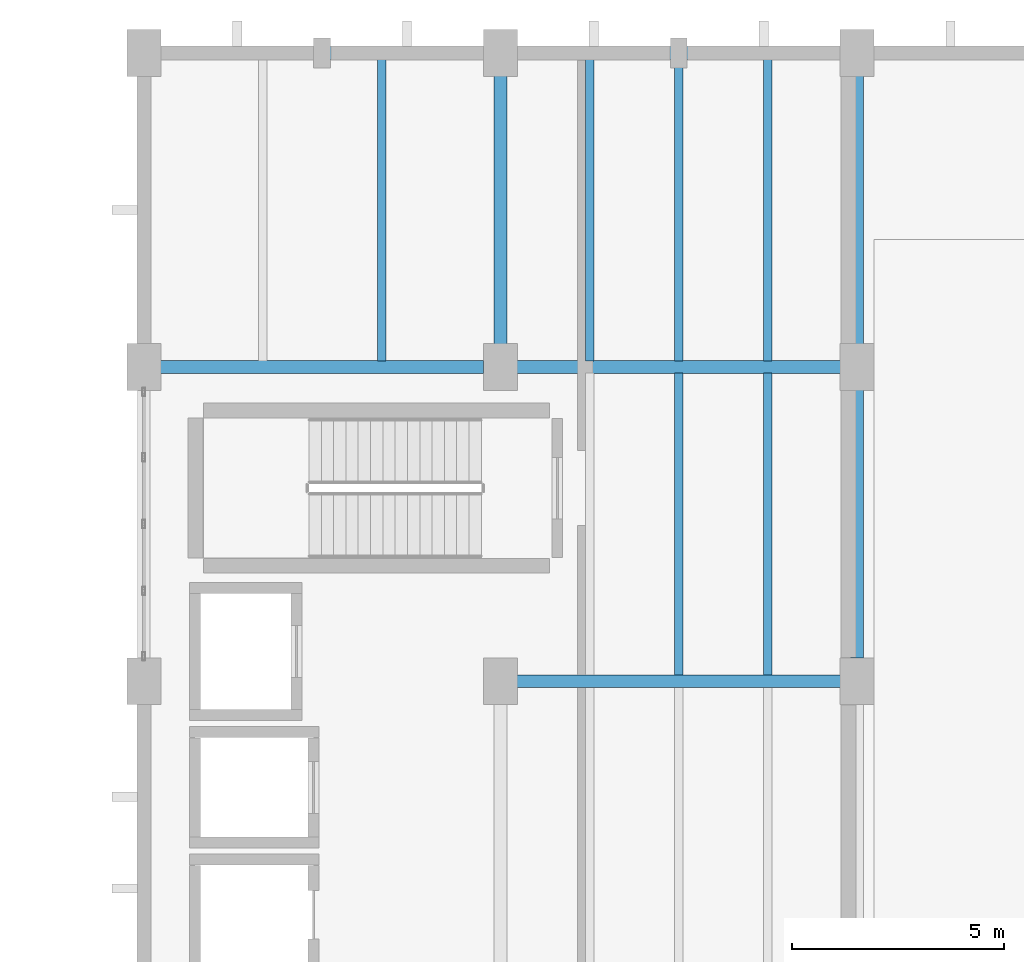
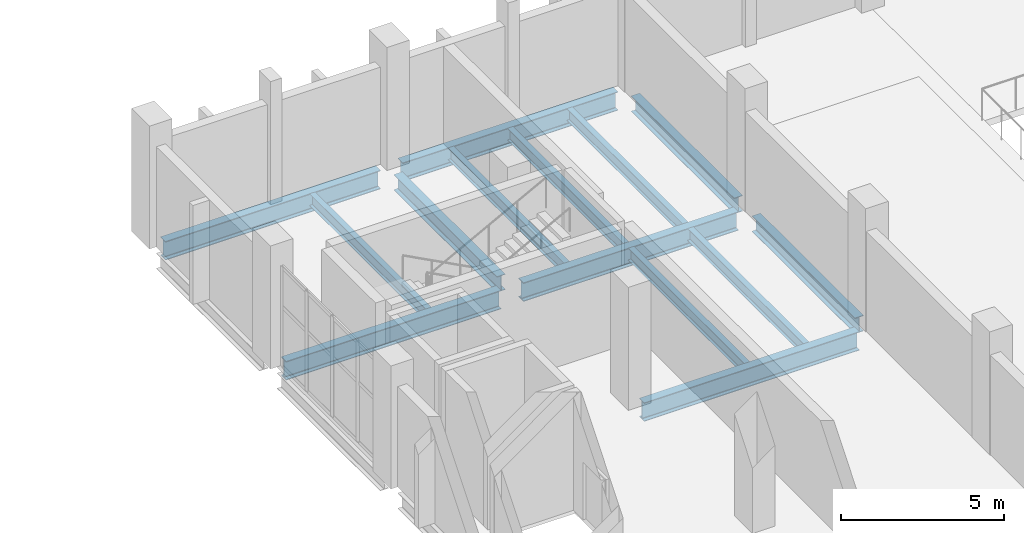
# One storey, part 77 of 172: 14 beams.
"""IFC4 building model written with IfcOpenShell, lengths in metres."""

import ifcopenshell
import ifcopenshell.guid

model = None  # the IFC model being written
_history = None  # IfcOwnerHistory: only IFC2X3 demands one
_inside = {}  # id of a spatial element -> (the spatial element, [elements in it])
_under = {}  # id of a project, library or spatial element -> (it, [spatial elements below it])
_declared = {}  # id of a project -> (the project, [libraries it declares])
_typed = {}  # id of a type object -> (the type object, [elements of that type])
_made_of = {}  # id of a material, layer set ... -> (it, [elements and type objects made of it])


def new_model(schema):
    """Start an empty IFC model of exactly this schema.

    Asked for "IFC4X3", IfcOpenShell would pick the latest addendum, in which some entities
    have other attributes; the version numbers below select the first issue.
    IFC2X3 requires an IfcOwnerHistory on every rooted entity: one is made here for all.
    """
    global model, _history
    if schema == "IFC4X3":
        model = ifcopenshell.file(schema_version=(4, 3, 0, 0))
    else:
        model = ifcopenshell.file(schema=schema)
    _inside.clear()
    _under.clear()
    _declared.clear()
    _typed.clear()
    _made_of.clear()
    _history = None
    if model.schema == "IFC2X3":
        org = make("IfcOrganization", Name="unknown")
        user = make(
            "IfcPersonAndOrganization",
            ThePerson=make("IfcPerson", FamilyName="unknown"),
            TheOrganization=org,
        )
        app = make(
            "IfcApplication",
            ApplicationDeveloper=org,
            Version="unknown",
            ApplicationFullName="unknown",
            ApplicationIdentifier="unknown",
        )
        _history = make(
            "IfcOwnerHistory",
            OwningUser=user,
            OwningApplication=app,
            ChangeAction="ADDED",
            CreationDate=0,
        )
    return model


def make(cls, **values):
    """One entity of the class cls with the attributes given. An attribute that is None is left unset."""
    return model.create_entity(
        cls, **{name: value for name, value in values.items() if value is not None}
    )


def rooted(cls, **values):
    """An entity with a GlobalId (a new one), such as an element, a storey or a relation."""
    return make(cls, GlobalId=ifcopenshell.guid.new(), OwnerHistory=_history, **values)


def si_unit(unit_type, name, prefix=None):
    """IfcSIUnit, for example si_unit("LENGTHUNIT", "METRE", prefix="MILLI")."""
    return make("IfcSIUnit", UnitType=unit_type, Prefix=prefix, Name=name)


def assignment(units):
    """IfcUnitAssignment: the units of a project."""
    return None if units is None else make("IfcUnitAssignment", Units=units)


def point(xyz):
    """IfcCartesianPoint."""
    return None if xyz is None else make("IfcCartesianPoint", Coordinates=xyz)


def direction(xyz):
    """IfcDirection."""
    return None if xyz is None else make("IfcDirection", DirectionRatios=xyz)


def frame(location, z_axis=None, x_axis=None):
    """IfcAxis2Placement3D, a coordinate frame: its origin and axes. An axis left out is left unset."""
    return make(
        "IfcAxis2Placement3D",
        Location=point(location),
        Axis=direction(z_axis),
        RefDirection=direction(x_axis),
    )


def frame_2d(location, x_axis=None):
    """IfcAxis2Placement2D, a coordinate frame in the plane: its origin and x axis."""
    return make(
        "IfcAxis2Placement2D", Location=point(location), RefDirection=direction(x_axis)
    )


def origin():
    """The frame at (0, 0, 0) with its axes left unset."""
    return frame((0.0, 0.0, 0.0))


def origin_2d():
    """The frame at (0, 0) in the plane with its x axis left unset."""
    return frame_2d((0.0, 0.0))


def place(relative_to, where):
    """IfcLocalPlacement: puts the frame where relative to a parent placement (None: the world)."""
    return make(
        "IfcLocalPlacement", PlacementRelTo=relative_to, RelativePlacement=where
    )


def context(
    kind, dimensions, precision=None, world=None, true_north=None, identifier=None
):
    """IfcGeometricRepresentationContext, for example the 3D "Model" context."""
    return make(
        "IfcGeometricRepresentationContext",
        ContextIdentifier=identifier,
        ContextType=kind,
        CoordinateSpaceDimension=dimensions,
        Precision=precision,
        WorldCoordinateSystem=world,
        TrueNorth=true_north,
    )


def subcontext(parent, identifier, kind, view, scale=None):
    """IfcGeometricRepresentationSubContext, for example "Body" below "Model"."""
    return make(
        "IfcGeometricRepresentationSubContext",
        ContextIdentifier=identifier,
        ContextType=kind,
        ParentContext=parent,
        TargetScale=scale,
        TargetView=view,
    )


def project(units=None, contexts=None):
    """IfcProject with its units and contexts."""
    return rooted(
        "IfcProject",
        Name="project",
        RepresentationContexts=contexts,
        UnitsInContext=assignment(units),
    )


def spatial(cls, under=None, at=None, **own):
    """A site, building, storey or space (cls), placed at a placement, below another one or the project."""
    s = rooted(cls, ObjectPlacement=at, **own)
    if under is not None:
        _under.setdefault(under.id(), (under, []))[1].append(s)
    return s


def profile(cls, at=None, kind="AREA", **sizes):
    """A parametric profile (cls). Its sizes go by their IFC names, for example OverallWidth=200.0."""
    return make(cls, ProfileType=kind, Position=at, **sizes)


def i_section(**sizes):
    """IfcIShapeProfileDef."""
    return profile("IfcIShapeProfileDef", **sizes)


def extrude(swept, where, along, depth):
    """IfcExtrudedAreaSolid: the profile swept, set in the frame where, extruded along a direction by depth."""
    return make(
        "IfcExtrudedAreaSolid",
        SweptArea=swept,
        Position=where,
        ExtrudedDirection=direction(along),
        Depth=depth,
    )


def shape(context_of_items, identifier, shape_type, items):
    """IfcShapeRepresentation: the items that make up one representation, for example the "Body"."""
    return make(
        "IfcShapeRepresentation",
        ContextOfItems=context_of_items,
        RepresentationIdentifier=identifier,
        RepresentationType=shape_type,
        Items=items,
    )


def material(Name=None, Category=None):
    """IfcMaterial."""
    return make("IfcMaterial", Name=Name, Category=Category)


def material_profile(
    of_material, cross_section, Name=None, Category=None, Priority=None
):
    """IfcMaterialProfile: a cross section and its material."""
    return make(
        "IfcMaterialProfile",
        Name=Name,
        Material=of_material,
        Profile=cross_section,
        Priority=Priority,
        Category=Category,
    )


def profile_set(profiles, Name=None, composite=None):
    """IfcMaterialProfileSet."""
    return make(
        "IfcMaterialProfileSet",
        Name=Name,
        MaterialProfiles=profiles,
        CompositeProfile=composite,
    )


def made_of(thing, what):
    """Note that an element or type object is made of a material, layer set ...; save() writes the relation."""
    if what is not None:
        _made_of.setdefault(what.id(), (what, []))[1].append(thing)
    return thing


def type_object(cls, material=None, **own):
    """A type object (cls), such as IfcWallType, which elements share."""
    return made_of(rooted(cls, **own), material)


def element(
    cls,
    number,
    at=None,
    inside=None,
    cuts=None,
    type_object=None,
    material=None,
    context=None,
    identifier="Body",
    shape_type=None,
    held_by="IfcProductDefinitionShape",
    body=None,
    shapes=None,
    **own,
):
    """One element of the class cls, such as IfcWall. Its Tag is "e" and its number.

    at: its placement. inside: the storey or other place that contains it. cuts: it is an
    opening in that element (IfcRelVoidsElement). A single representation is given by context,
    identifier, shape_type and body (its items); several are given by shapes. held_by: the class
    of the entity that holds the representations. save() writes the other relations.
    """
    e = rooted(cls, Tag="e%d" % number, ObjectPlacement=at, **own)
    if body is not None:
        shapes = [shape(context, identifier, shape_type, body)]
    if shapes is not None:
        e.Representation = make(held_by, Representations=shapes)
    if inside is not None:
        _inside.setdefault(inside.id(), (inside, []))[1].append(e)
    if cuts is not None:
        rooted(
            "IfcRelVoidsElement", RelatingBuildingElement=cuts, RelatedOpeningElement=e
        )
    if type_object is not None:
        _typed.setdefault(type_object.id(), (type_object, []))[1].append(e)
    return made_of(e, material)


def aggregate(whole, parts):
    """IfcRelAggregates: a whole, such as a stair, and the parts it consists of."""
    return rooted("IfcRelAggregates", RelatingObject=whole, RelatedObjects=parts)


def save(model, path):
    """Write the relations noted so far, then the file.

    IfcRelAggregates (storeys below a building ...), IfcRelContainedInSpatialStructure (elements
    in a storey), IfcRelDefinesByType, IfcRelAssociatesMaterial and IfcRelDeclares: one each for
    every whole, place, type object, material and project.
    """
    for whole, parts in _under.values():
        aggregate(whole, parts)
    for where, things in _inside.values():
        rooted(
            "IfcRelContainedInSpatialStructure",
            RelatedElements=things,
            RelatingStructure=where,
        )
    for kind, things in _typed.values():
        rooted("IfcRelDefinesByType", RelatedObjects=things, RelatingType=kind)
    for what, things in _made_of.values():
        rooted("IfcRelAssociatesMaterial", RelatedObjects=things, RelatingMaterial=what)
    for by, libraries in _declared.values():
        rooted("IfcRelDeclares", RelatingContext=by, RelatedDefinitions=libraries)
    model.write(path)


model = new_model("IFC4")

# Units and contexts
model_context = context("Model", 3, precision=1e-05, world=origin(), true_north=direction((0.0, 1.0)))
body_context = subcontext(model_context, "Body", "Model", "MODEL_VIEW")
ifc_project = project(units=[si_unit("LENGTHUNIT", "METRE"), si_unit("AREAUNIT", "SQUARE_METRE"), si_unit("VOLUMEUNIT", "CUBIC_METRE"), si_unit("PLANEANGLEUNIT", "RADIAN"), si_unit("MASSUNIT", "GRAM", prefix="KILO")], contexts=[model_context])

# Site, building, storey
site_placement = place(None, origin())
site = spatial("IfcSite", under=ifc_project, at=site_placement, CompositionType="ELEMENT")
building_placement = place(site_placement, origin())
building = spatial("IfcBuilding", under=site, at=building_placement, Name="Shengluoqiao Park Theatre", CompositionType="ELEMENT")
storey_placement = place(building_placement, frame((0.0, 0.0, 5.39990234375)))
storey = spatial("IfcBuildingStorey", under=building, at=storey_placement, Name="L01", CompositionType="ELEMENT", Elevation=5.39990234375)

# Beams
ifc_material_1 = material(Name="Steel Q355", Category="steel")
ifc_material_profile_1 = material_profile(ifc_material_1, i_section(OverallWidth=0.300048828125, OverallDepth=0.587890625, WebThickness=0.011962890625, FlangeThickness=0.02001953125, FilletRadius=0.02392578125, at=origin_2d()), Name="HM 588x300x12x20")
ifc_profile_set_1 = profile_set([ifc_material_profile_1], Name="Steel Q355")
beam_type_1 = type_object("IfcBeamType", Name="STR-BM-G-HM588", PredefinedType="BEAM", material=ifc_profile_set_1)
for number, where, z_axis, x_axis, name in (
    (1, (52.800048828125, 107.14404296875, -0.533935546875), (0.0, 1.0, 0.0), (-1.0, 0.0, 0.0), "L01 Transverse Girder 00289"),
    (2, (61.199951171875, 99.743896484375, -0.533935546875), (0.0, 1.0, 0.0), (-1.0, 0.0, 0.0), "L01 Transverse Girder 00293"),
    (3, (61.199951171875, 107.14404296875, -0.533935546875), (0.0, 1.0, 0.0), (-1.0, 0.0, 0.0), "L01 Transverse Girder 00294"),
):
    element("IfcBeam", number, at=place(storey_placement, frame(where, z_axis=z_axis, x_axis=x_axis)), inside=storey, type_object=beam_type_1, Name=name, PredefinedType="BEAM", context=body_context, shape_type="SweptSolid", body=[
        extrude(i_section(OverallWidth=0.300048828125, OverallDepth=0.587890625, WebThickness=0.011962890625, FlangeThickness=0.02001953125, FilletRadius=0.02392578125, at=origin_2d()), origin(), (0.0, 0.0, 1.0), 6.31201171875),
    ])
ifc_material_2 = material(Name="Steel Q390", Category="steel")
ifc_material_profile_2 = material_profile(ifc_material_2, i_section(OverallWidth=0.300048828125, OverallDepth=0.699951171875, WebThickness=0.012939453125, FlangeThickness=0.02392578125, FilletRadius=0.02392578125, at=origin_2d()), Name="HN 700x300x13x24")
ifc_profile_set_2 = profile_set([ifc_material_profile_2], Name="Steel Q390")
beam_type_2 = type_object("IfcBeamType", Name="STR-BM-G-HN700", PredefinedType="BEAM", material=ifc_profile_set_2)
beam_1_placement = place(storey_placement, frame((53.194091796875, 99.199951171875, -0.58984375), z_axis=(1.0, 0.0, 0.0), x_axis=(0.0, 1.0, 0.0)))
element("IfcBeam", 4, at=beam_1_placement, inside=storey, type_object=beam_type_2, Name="L01 Primary Girder 00277", PredefinedType="BEAM", context=body_context, shape_type="SweptSolid", body=[
    extrude(i_section(OverallWidth=0.300048828125, OverallDepth=0.699951171875, WebThickness=0.012939453125, FlangeThickness=0.02392578125, FilletRadius=0.02392578125, at=origin_2d()), origin(), (0.0, 0.0, 1.0), 7.61181640625),
])
beam_2_placement = place(storey_placement, frame((44.7939453125, 106.60009765625, -0.58984375), z_axis=(1.0, 0.0, 0.0), x_axis=(0.0, 1.0, 0.0)))
element("IfcBeam", 5, at=beam_2_placement, inside=storey, type_object=beam_type_2, Name="L01 Primary Girder 00278", PredefinedType="BEAM", context=body_context, shape_type="SweptSolid", body=[
    extrude(i_section(OverallWidth=0.300048828125, OverallDepth=0.699951171875, WebThickness=0.012939453125, FlangeThickness=0.02392578125, FilletRadius=0.02392578125, at=origin_2d()), origin(), (0.0, 0.0, 1.0), 7.612060546875),
])
beam_3_placement = place(storey_placement, frame((53.194091796875, 106.60009765625, -0.58984375), z_axis=(1.0, 0.0, 0.0), x_axis=(0.0, 1.0, 0.0)))
element("IfcBeam", 6, at=beam_3_placement, inside=storey, type_object=beam_type_2, Name="L01 Primary Girder 00279", PredefinedType="BEAM", context=body_context, shape_type="SweptSolid", body=[
    extrude(i_section(OverallWidth=0.300048828125, OverallDepth=0.699951171875, WebThickness=0.012939453125, FlangeThickness=0.02392578125, FilletRadius=0.02392578125, at=origin_2d()), origin(), (0.0, 0.0, 1.0), 7.61181640625),
])
beam_4_placement = place(storey_placement, frame((44.7939453125, 114.0, -0.58984375), z_axis=(1.0, 0.0, 0.0), x_axis=(0.0, 1.0, 0.0)))
element("IfcBeam", 7, at=beam_4_placement, inside=storey, type_object=beam_type_2, Name="L01 Primary Girder 00280", PredefinedType="BEAM", context=body_context, shape_type="SweptSolid", body=[
    extrude(i_section(OverallWidth=0.300048828125, OverallDepth=0.699951171875, WebThickness=0.012939453125, FlangeThickness=0.02392578125, FilletRadius=0.02392578125, at=origin_2d()), origin(), (0.0, 0.0, 1.0), 7.612060546875),
])
beam_5_placement = place(storey_placement, frame((53.194091796875, 114.0, -0.58984375), z_axis=(1.0, 0.0, 0.0), x_axis=(0.0, 1.0, 0.0)))
element("IfcBeam", 8, at=beam_5_placement, inside=storey, type_object=beam_type_2, Name="L01 Primary Girder 00281", PredefinedType="BEAM", context=body_context, shape_type="SweptSolid", body=[
    extrude(i_section(OverallWidth=0.300048828125, OverallDepth=0.699951171875, WebThickness=0.012939453125, FlangeThickness=0.02392578125, FilletRadius=0.02392578125, at=origin_2d()), origin(), (0.0, 0.0, 1.0), 7.61181640625),
])
ifc_material_profile_3 = material_profile(ifc_material_1, i_section(OverallWidth=0.199951171875, OverallDepth=0.449951171875, WebThickness=0.009033203125, FlangeThickness=0.013916015625, FilletRadius=0.01611328125, at=origin_2d()), Name="HN 450x200x9x14")
ifc_profile_set_3 = profile_set([ifc_material_profile_3], Name="Steel Q355")
beam_type_3 = type_object("IfcBeamType", Name="STR-BM-J-HN450", PredefinedType="JOIST", material=ifc_profile_set_3)
beam_6_placement = place(storey_placement, frame((50.0, 106.7451171875, -0.46484375), z_axis=(0.0, 1.0, 0.0), x_axis=(-1.0, 0.0, 0.0)))
element("IfcBeam", 9, at=beam_6_placement, inside=storey, type_object=beam_type_3, Name="L01 Composite Joist 00298", PredefinedType="JOIST", context=body_context, shape_type="SweptSolid", body=[
    extrude(i_section(OverallWidth=0.199951171875, OverallDepth=0.449951171875, WebThickness=0.009033203125, FlangeThickness=0.013916015625, FilletRadius=0.01611328125, at=origin_2d()), origin(), (0.0, 0.0, 1.0), 7.10986328125),
])
for number, where, z_axis, x_axis, name in (
    (10, (57.0, 99.344970703125, -0.46484375), (0.0, 1.0, 0.0), (-1.0, 0.0, 0.0), "L01 Composite Joist 00309"),
    (11, (59.10009765625, 99.344970703125, -0.46484375), (0.0, 1.0, 0.0), (-1.0, 0.0, 0.0), "L01 Composite Joist 00310"),
):
    element("IfcBeam", number, at=place(storey_placement, frame(where, z_axis=z_axis, x_axis=x_axis)), inside=storey, type_object=beam_type_3, Name=name, PredefinedType="JOIST", context=body_context, shape_type="SweptSolid", body=[
        extrude(i_section(OverallWidth=0.199951171875, OverallDepth=0.449951171875, WebThickness=0.009033203125, FlangeThickness=0.013916015625, FilletRadius=0.01611328125, at=origin_2d()), origin(), (0.0, 0.0, 1.0), 7.110107421875),
    ])
for number, where, z_axis, x_axis, name in (
    (12, (54.89990234375, 106.7451171875, -0.46484375), (0.0, 1.0, 0.0), (-1.0, 0.0, 0.0), "L01 Composite Joist 00311"),
    (13, (57.0, 106.7451171875, -0.46484375), (0.0, 1.0, 0.0), (-1.0, 0.0, 0.0), "L01 Composite Joist 00312"),
    (14, (59.10009765625, 106.7451171875, -0.46484375), (0.0, 1.0, 0.0), (-1.0, 0.0, 0.0), "L01 Composite Joist 00313"),
):
    element("IfcBeam", number, at=place(storey_placement, frame(where, z_axis=z_axis, x_axis=x_axis)), inside=storey, type_object=beam_type_3, Name=name, PredefinedType="JOIST", context=body_context, shape_type="SweptSolid", body=[
        extrude(i_section(OverallWidth=0.199951171875, OverallDepth=0.449951171875, WebThickness=0.009033203125, FlangeThickness=0.013916015625, FilletRadius=0.01611328125, at=origin_2d()), origin(), (0.0, 0.0, 1.0), 7.10986328125),
    ])

save(model, "model.ifc")
